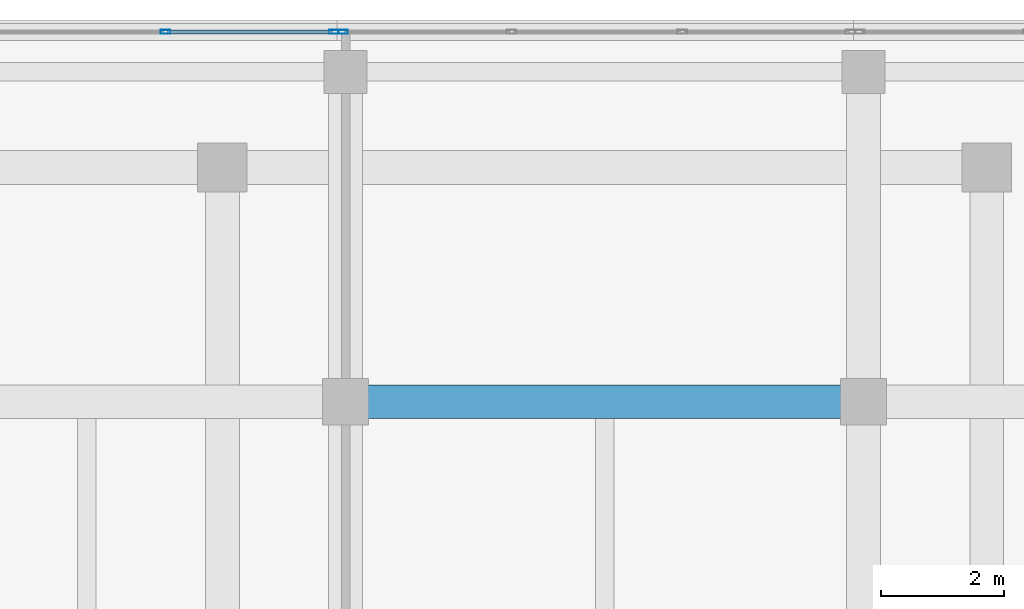
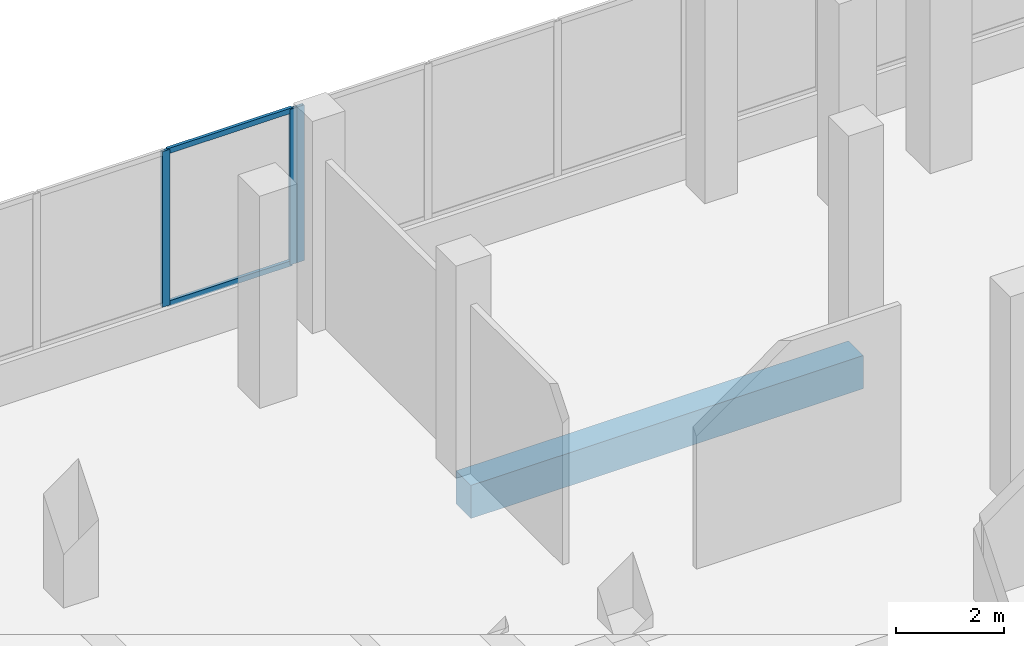
# One storey, part 74 of 155: 5 members, 1 beam, 2 elements without a shape of their own.
"""IFC4 building model written with IfcOpenShell, lengths in metres."""

from ifc_helpers import new_model, si_unit, direction, frame, origin, origin_2d, place, context, subcontext, project, spatial, rectangle, hollow_rectangle, extrude, material, material_profile, profile_set, type_object, element, aggregate, save


model = new_model("IFC4")

# Units and contexts
model_context = context("Model", 3, precision=1e-05, world=origin(), true_north=direction((0.0, 1.0)))
body_context = subcontext(model_context, "Body", "Model", "MODEL_VIEW")
ifc_project = project(units=[si_unit("LENGTHUNIT", "METRE"), si_unit("AREAUNIT", "SQUARE_METRE"), si_unit("VOLUMEUNIT", "CUBIC_METRE"), si_unit("PLANEANGLEUNIT", "RADIAN"), si_unit("MASSUNIT", "GRAM", prefix="KILO")], contexts=[model_context])

# Site, building, storey
site_placement = place(None, origin())
site = spatial("IfcSite", under=ifc_project, at=site_placement, CompositionType="ELEMENT")
building_placement = place(site_placement, origin())
building = spatial("IfcBuilding", under=site, at=building_placement, Name="Selatvlak General Hospital", CompositionType="ELEMENT")
storey_placement = place(building_placement, frame((0.0, 0.0, 10.199951171875)))
storey = spatial("IfcBuildingStorey", under=building, at=storey_placement, Name="L02", CompositionType="ELEMENT", Elevation=10.199951171875)

# Beam
ifc_material_1 = material(Name="Concrete C40/50", Category="concrete")
ifc_material_profile_1 = material_profile(ifc_material_1, rectangle(XDim=0.550048828125, YDim=0.75, at=origin_2d()), Name="RC-BM 550x750")
ifc_profile_set_1 = profile_set([ifc_material_profile_1], Name="Concrete C40/50")
beam_type = type_object("IfcBeamType", Name="BM-G02", PredefinedType="BEAM", material=ifc_profile_set_1)
beam_placement = place(storey_placement, frame((73.199951171875, 114.0, -0.72998046875), z_axis=(1.0, 0.0, 0.0), x_axis=(0.0, 1.0, 0.0)))
element("IfcBeam", 1, at=beam_placement, inside=storey, type_object=beam_type, Name="Beam BMR-L02-0900", PredefinedType="BEAM", context=body_context, shape_type="SweptSolid", body=[
    extrude(rectangle(XDim=0.550048828125, YDim=0.75, at=origin_2d()), origin(), (0.0, 0.0, 1.0), 8.400146484375),
])

# Curtain wall, members
ifc_material_2 = material(Name="Solar-control Low-E double glazing", Category="glass")
curtain_wall_type_1 = type_object("IfcCurtainWallType", Name="CW-CW-02", PredefinedType="USERDEFINED", material=ifc_material_2)
curtain_wall_1_placement = place(storey_placement, origin())
curtain_wall_1 = element("IfcCurtainWall", 2, at=curtain_wall_1_placement, inside=storey, type_object=curtain_wall_type_1, Name="Glazed facade curtain wall CW-L02-0249", ObjectType="UNITISED CURTAIN WALL", PredefinedType="USERDEFINED")
ifc_material_3 = material(Name="Dark anodised aluminium mullion", Category="aluminium")
ifc_material_profile_2 = material_profile(ifc_material_3, hollow_rectangle(XDim=0.06494140625, YDim=0.159912109375, WallThickness=0.00390625, at=origin_2d()), Name="AL-MUL 65x160x4")
ifc_profile_set_2 = profile_set([ifc_material_profile_2], Name="Dark anodised aluminium mullion")
member_type_1 = type_object("IfcMemberType", Name="CWM-01", PredefinedType="MULLION", material=ifc_profile_set_2)
member_1_placement = place(storey_placement, frame((70.2783203125, 119.9990234375, 0.93994140625), z_axis=(0.0, 0.0, 1.0), x_axis=(0.0, 1.0, 0.0)))
member_1 = element("IfcMember", 3, at=member_1_placement, type_object=member_type_1, Name="CW-02 mullion 3", PredefinedType="MULLION", context=body_context, shape_type="SweptSolid", body=[
    extrude(hollow_rectangle(XDim=0.06494140625, YDim=0.159912109375, WallThickness=0.00390625, at=origin_2d()), origin(), (0.0, 0.0, 1.0), 3.52001953125),
])
member_2_placement = place(storey_placement, frame((73.012451171875, 119.9990234375, 0.93994140625), z_axis=(0.0, 0.0, 1.0), x_axis=(0.0, 1.0, 0.0)))
member_2 = element("IfcMember", 4, at=member_2_placement, type_object=member_type_1, Name="CW-02 mullion 4", PredefinedType="MULLION", context=body_context, shape_type="SweptSolid", body=[
    extrude(hollow_rectangle(XDim=0.06494140625, YDim=0.159912109375, WallThickness=0.00390625, at=origin_2d()), origin(), (0.0, 0.0, 1.0), 3.52001953125),
])

# Curtain wall, member
curtain_wall_type_2 = type_object("IfcCurtainWallType", Name="CW-CW-01", PredefinedType="USERDEFINED", material=ifc_material_2)
curtain_wall_2_placement = place(storey_placement, origin())
curtain_wall_2 = element("IfcCurtainWall", 5, at=curtain_wall_2_placement, inside=storey, type_object=curtain_wall_type_2, Name="Glazed facade curtain wall CW-L02-0250", ObjectType="UNITISED CURTAIN WALL", PredefinedType="USERDEFINED")
member_3_placement = place(storey_placement, frame((73.157470703125, 119.9990234375, 0.93994140625), z_axis=(0.0, 0.0, 1.0), x_axis=(0.0, 1.0, 0.0)))
member_3 = element("IfcMember", 6, at=member_3_placement, type_object=member_type_1, Name="CW-01 mullion 1", PredefinedType="MULLION", context=body_context, shape_type="SweptSolid", body=[
    extrude(hollow_rectangle(XDim=0.06494140625, YDim=0.159912109375, WallThickness=0.00390625, at=origin_2d()), origin(), (0.0, 0.0, 1.0), 3.52001953125),
])
aggregate(curtain_wall_2, [member_3])

# Member
ifc_material_profile_3 = material_profile(ifc_material_3, hollow_rectangle(XDim=0.06494140625, YDim=0.1201171875, WallThickness=0.00390625, at=origin_2d()), Name="AL-TRN 65x120x4")
ifc_profile_set_3 = profile_set([ifc_material_profile_3], Name="Dark anodised aluminium mullion")
member_type_2 = type_object("IfcMemberType", Name="CWT-01", PredefinedType="USERDEFINED", material=ifc_profile_set_3)
member_4_placement = place(storey_placement, frame((70.310791015625, 119.9990234375, 0.97265625), z_axis=(1.0, 0.0, 0.0), x_axis=(0.0, 1.0, 0.0)))
member_4 = element("IfcMember", 7, at=member_4_placement, type_object=member_type_2, Name="CW-02 transom 3.1", ObjectType="TRANSOM", PredefinedType="USERDEFINED", context=body_context, shape_type="SweptSolid", body=[
    extrude(hollow_rectangle(XDim=0.06494140625, YDim=0.1201171875, WallThickness=0.00390625, at=origin_2d()), origin(), (0.0, 0.0, 1.0), 2.669189453125),
])

member_5_placement = place(storey_placement, frame((70.310791015625, 119.9990234375, 4.427490234375), z_axis=(1.0, 0.0, 0.0), x_axis=(0.0, 1.0, 0.0)))
member_5 = element("IfcMember", 8, at=member_5_placement, type_object=member_type_2, Name="CW-02 transom 3.2", ObjectType="TRANSOM", PredefinedType="USERDEFINED", context=body_context, shape_type="SweptSolid", body=[
    extrude(hollow_rectangle(XDim=0.06494140625, YDim=0.1201171875, WallThickness=0.00390625, at=origin_2d()), origin(), (0.0, 0.0, 1.0), 2.669189453125),
])

aggregate(curtain_wall_1, [member_1, member_2, member_4, member_5])

save(model, "model.ifc")
